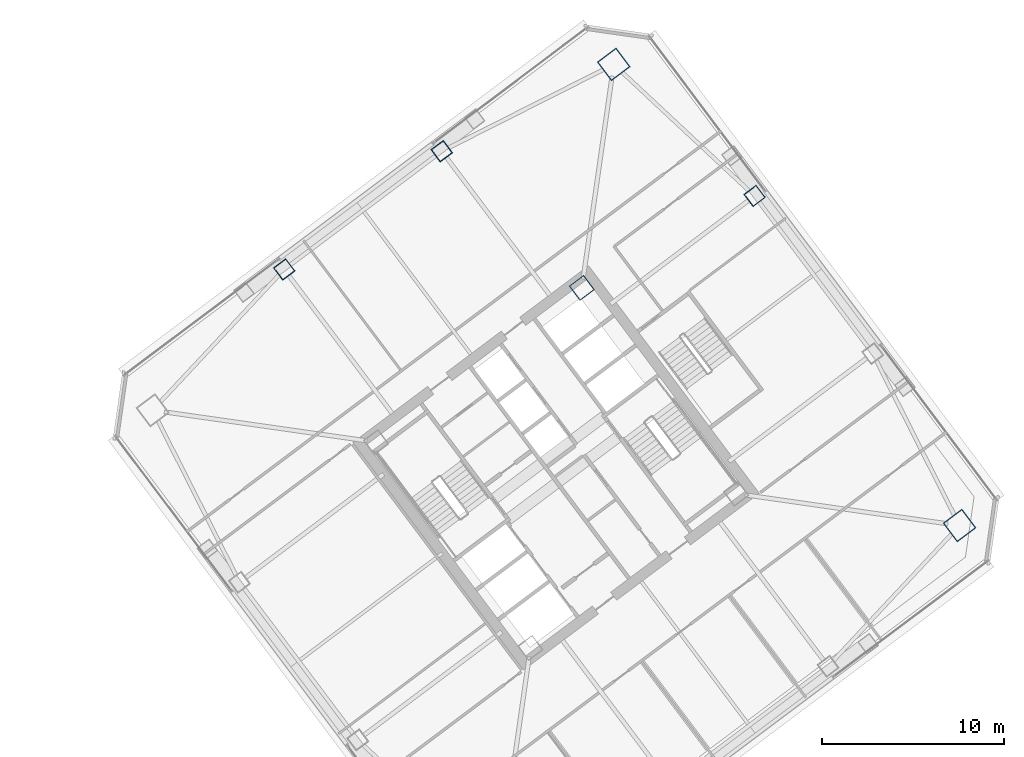
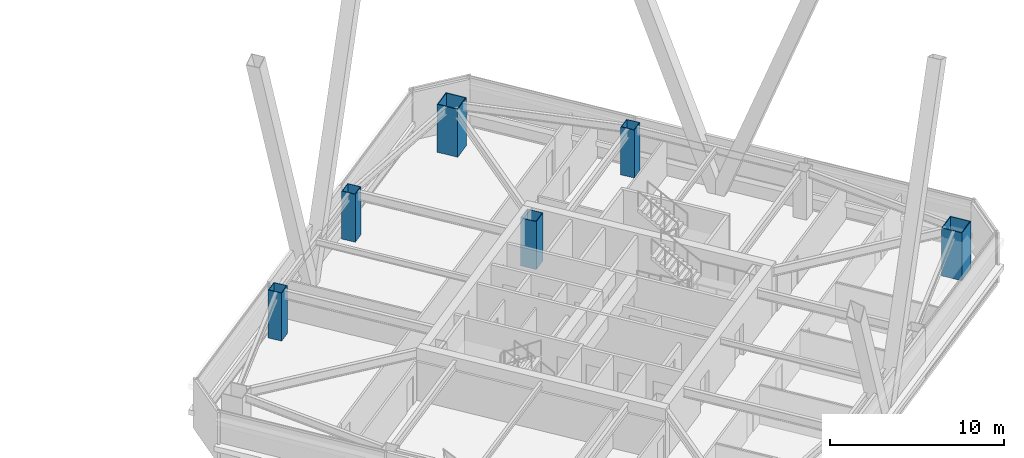
# One storey, part 2 of 50: 6 columns.
"""IFC4 building model written with IfcOpenShell, lengths in metres."""

from ifc_helpers import new_model, si_unit, direction, frame, origin, origin_2d, place, context, subcontext, project, spatial, hollow_rectangle, extrude, material, material_profile, profile_set, type_object, element, save


model = new_model("IFC4")

# Units and contexts
model_context = context("Model", 3, precision=1e-05, world=origin(), true_north=direction((0.0, 1.0)))
body_context = subcontext(model_context, "Body", "Model", "MODEL_VIEW")
ifc_project = project(units=[si_unit("LENGTHUNIT", "METRE"), si_unit("AREAUNIT", "SQUARE_METRE"), si_unit("VOLUMEUNIT", "CUBIC_METRE"), si_unit("PLANEANGLEUNIT", "RADIAN"), si_unit("MASSUNIT", "GRAM", prefix="KILO")], contexts=[model_context])

# Site, building, storey
site_placement = place(None, origin())
site = spatial("IfcSite", under=ifc_project, at=site_placement, CompositionType="ELEMENT")
building_placement = place(site_placement, origin())
building = spatial("IfcBuilding", under=site, at=building_placement, Name="Tashvorn Skyway Center", CompositionType="ELEMENT")
storey_placement = place(building_placement, frame((0.0, 0.0, 114.39990234375)))
storey = spatial("IfcBuildingStorey", under=building, at=storey_placement, Name="L30", CompositionType="ELEMENT", Elevation=114.39990234375)

# Columns
ifc_material = material(Name="Steel ASTM A572 Grade 50", Category="steel")
ifc_material_profile_1 = material_profile(ifc_material, hollow_rectangle(XDim=1.0, YDim=1.0, WallThickness=0.0400390625, at=origin_2d()), Name="BOX1000x1000x40")
ifc_profile_set_1 = profile_set([ifc_material_profile_1], Name="Steel ASTM A572 Grade 50")
column_type_1 = type_object("IfcColumnType", Name="COL-BOX1000x1000x40", PredefinedType="COLUMN", material=ifc_profile_set_1)
column_placement = place(storey_placement, frame((115.409912109375, 41.8701171875, 0.0), z_axis=(0.0, 0.0, 1.0), x_axis=(0.799999996291, 0.600000004945, 0.0)))
element("IfcColumn", 1, at=column_placement, inside=storey, type_object=column_type_1, Name="Tower 2 L30 Core Corner Column CC-NE", PredefinedType="COLUMN", context=body_context, shape_type="SweptSolid", body=[
    extrude(hollow_rectangle(XDim=1.0, YDim=1.0, WallThickness=0.0400390625, at=origin_2d()), origin(), (0.0, 0.0, 1.0), 3.3701171875),
])
ifc_material_profile_2 = material_profile(ifc_material, hollow_rectangle(XDim=1.300048828125, YDim=1.300048828125, WallThickness=0.050048828125, at=origin_2d()), Name="BOX1300x1300x50")
ifc_profile_set_2 = profile_set([ifc_material_profile_2], Name="Steel ASTM A572 Grade 50")
column_type_2 = type_object("IfcColumnType", Name="COL-BOX1300x1300x50", PredefinedType="COLUMN", material=ifc_profile_set_2)
for number, where, z_axis, x_axis, name in (
    (2, (136.1201171875, 28.840087890625, 0.0), (0.0, 0.0, 1.0), (0.799999996291, 0.600000004945, 0.0), "Tower 2 L30 Mega-Column MC-SE"),
    (3, (117.159912109375, 54.1201171875, 0.0), (0.0, 0.0, 1.0), (0.799999996291, 0.600000004945, 0.0), "Tower 2 L30 Mega-Column MC-NE"),
):
    element("IfcColumn", number, at=place(storey_placement, frame(where, z_axis=z_axis, x_axis=x_axis)), inside=storey, type_object=column_type_2, Name=name, PredefinedType="COLUMN", context=body_context, shape_type="SweptSolid", body=[
        extrude(hollow_rectangle(XDim=1.300048828125, YDim=1.300048828125, WallThickness=0.050048828125, at=origin_2d()), origin(), (0.0, 0.0, 1.0), 3.3701171875),
    ])
ifc_material_profile_3 = material_profile(ifc_material, hollow_rectangle(XDim=0.85009765625, YDim=0.85009765625, WallThickness=0.034912109375, at=origin_2d()), Name="BOX850x850x35")
ifc_profile_set_3 = profile_set([ifc_material_profile_3], Name="Steel ASTM A572 Grade 50")
column_type_3 = type_object("IfcColumnType", Name="COL-BOX850x850x35", PredefinedType="COLUMN", material=ifc_profile_set_3)
for number, where, z_axis, x_axis, name in (
    (4, (124.8798828125, 46.909912109375, 0.0), (0.0, 0.0, 1.0), (0.799999996291, 0.600000004945, 0.0), "Tower 2 L30 Perimeter Column FC-E2"),
    (5, (107.72998046875, 49.360107421875, 0.0), (0.0, 0.0, 1.0), (0.799999996291, 0.600000004945, 0.0), "Tower 2 L30 Perimeter Column FC-N1"),
    (6, (99.090087890625, 42.8798828125, 0.0), (0.0, 0.0, 1.0), (0.799999996291, 0.600000004945, 0.0), "Tower 2 L30 Perimeter Column FC-N2"),
):
    element("IfcColumn", number, at=place(storey_placement, frame(where, z_axis=z_axis, x_axis=x_axis)), inside=storey, type_object=column_type_3, Name=name, PredefinedType="COLUMN", context=body_context, shape_type="SweptSolid", body=[
        extrude(hollow_rectangle(XDim=0.85009765625, YDim=0.85009765625, WallThickness=0.034912109375, at=origin_2d()), origin(), (0.0, 0.0, 1.0), 3.3701171875),
    ])

save(model, "model.ifc")
